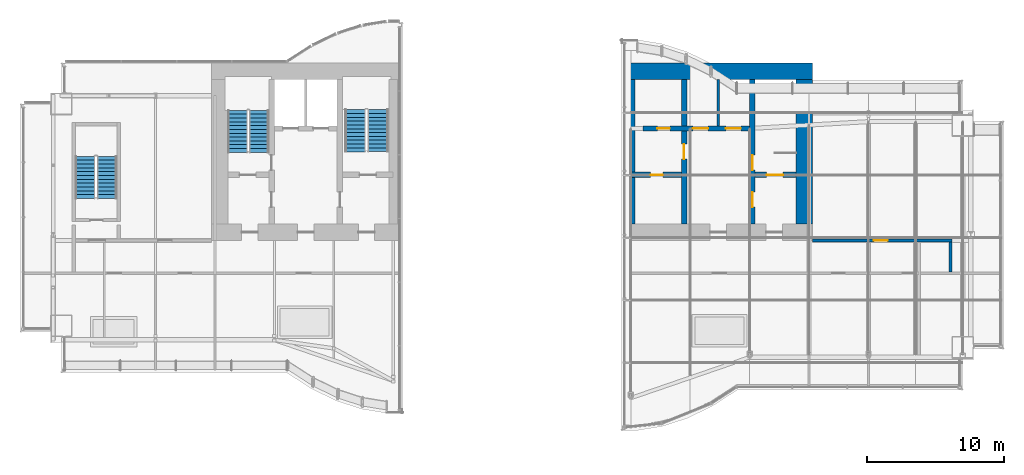
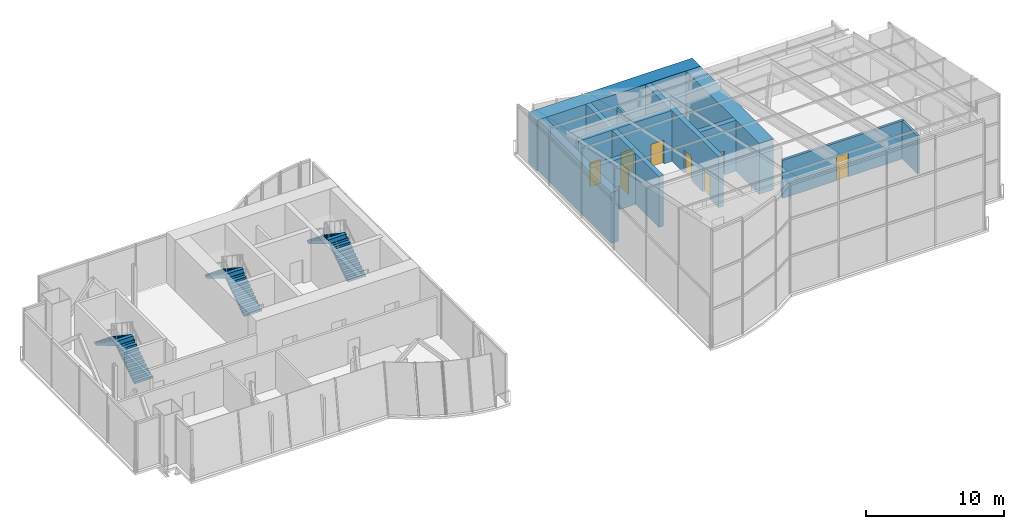
# One storey, part 14 of 17: 11 walls, 9 doors, 6 stair flights, 9 openings, 3 elements without a shape of their own.
"""IFC4 building model written with IfcOpenShell, lengths in metres."""

from ifc_helpers import new_model, si_unit, direction, frame, frame_2d, origin, place, context, subcontext, project, spatial, polyline, rectangle, outline, extrude, material, layer, layer_set, type_object, element, fill, aggregate, save


model = new_model("IFC4")

# Units and contexts
model_context = context("Model", 3, precision=1e-05, world=origin(), true_north=direction((0.0, 1.0)))
body_context = subcontext(model_context, "Body", "Model", "MODEL_VIEW")
ifc_project = project(units=[si_unit("LENGTHUNIT", "METRE"), si_unit("AREAUNIT", "SQUARE_METRE"), si_unit("VOLUMEUNIT", "CUBIC_METRE"), si_unit("PLANEANGLEUNIT", "RADIAN"), si_unit("MASSUNIT", "GRAM", prefix="KILO")], contexts=[model_context])

# Site, building, storey
site_placement = place(None, origin())
site = spatial("IfcSite", under=ifc_project, at=site_placement, CompositionType="ELEMENT")
building_placement = place(site_placement, origin())
building = spatial("IfcBuilding", under=site, at=building_placement, Name="Bicima Exchange Tower", CompositionType="ELEMENT")
storey_placement = place(building_placement, frame((0.0, 0.0, 356.89990234375)))
storey = spatial("IfcBuildingStorey", under=building, at=storey_placement, Name="L80", CompositionType="ELEMENT", Elevation=356.89990234375)

# Wall
ifc_material_1 = material(Name="Gypsum board partition")
ifc_layer_1 = layer(ifc_material_1, 0.199951171875)
ifc_layer_set_1 = layer_set([ifc_layer_1], Name="Gypsum board partition")
wall_type_1 = type_object("IfcWallType", Name="Fire-rated gypsum partition 200 EI120", PredefinedType="PARTITIONING", material=ifc_layer_set_1)
wall_1_placement = place(storey_placement, frame((15.10009765625, -4.60009765625, 0.0), z_axis=(0.0, 0.0, 1.0), x_axis=(0.0, 1.0, 0.0)))
element("IfcWall", 1, at=wall_1_placement, inside=storey, type_object=wall_type_1, Name="partition wall 11", PredefinedType="PARTITIONING", context=body_context, shape_type="SweptSolid", body=[
    extrude(rectangle(XDim=3.400146484375, YDim=0.199951171875, at=frame_2d((1.7001953125, 0.0))), origin(), (0.0, 0.0, 1.0), 3.368408203125),
])

# Wall, opening, door
ifc_layer_2 = layer(ifc_material_1, 0.199951171875)
ifc_layer_set_2 = layer_set([ifc_layer_2], Name="Gypsum board partition")
wall_type_2 = type_object("IfcWallType", Name="Fire-rated gypsum partition 200 EI60", PredefinedType="PARTITIONING", material=ifc_layer_set_2)
wall_2_placement = place(storey_placement, frame((22.0, -13.0, 0.0), z_axis=(0.0, 0.0, 1.0), x_axis=(1.0, 0.0, 0.0)))
wall_2 = element("IfcWall", 2, at=wall_2_placement, inside=storey, type_object=wall_type_2, Name="partition wall 4", PredefinedType="PARTITIONING", context=body_context, shape_type="SweptSolid", body=[
    extrude(rectangle(XDim=10.199951171875, YDim=0.199951171875, at=frame_2d((5.10009765625, 0.0))), origin(), (0.0, 0.0, 1.0), 3.368408203125),
])
opening_1_placement = place(wall_2_placement, frame((4.5, 0.0, 0.0)))
opening_1 = element("IfcOpeningElement", 3, at=opening_1_placement, cuts=wall_2, Name="Opening L80-007", PredefinedType="OPENING", context=body_context, shape_type="SweptSolid", body=[
    extrude(rectangle(XDim=1.0, YDim=2.10009765625, at=frame_2d((0.5, 1.050048828125))), frame((0.0, 0.11181640625, 0.0), z_axis=(0.0, -1.0, 0.0), x_axis=(1.0, 0.0, 0.0)), (0.0, 0.0, 1.0), 0.223876953125),
])
ifc_material_2 = material(Name="Steel fire door leaf", Category="steel")
door_type_1 = type_object("IfcDoorType", Name="Door 1000 swing FD30S", OperationType="SINGLE_SWING_LEFT", PredefinedType="DOOR", material=ifc_material_2)
door_1_placement = place(opening_1_placement, origin())
door_1 = element("IfcDoor", 4, at=door_1_placement, inside=storey, type_object=door_type_1, Name="Door", OperationType="SINGLE_SWING_LEFT", OverallHeight=2.10009765625, OverallWidth=1.0, PredefinedType="DOOR", context=body_context, shape_type="SweptSolid", body=[
    extrude(rectangle(XDim=1.0, YDim=2.10009765625, at=frame_2d((0.5, 1.050048828125))), frame((0.0, 0.02490234375, 0.0), z_axis=(0.0, -1.0, 0.0), x_axis=(1.0, 0.0, 0.0)), (0.0, 0.0, 1.0), 0.050048828125),
])
fill(opening_1, door_1)

# Walls
wall_3_placement = place(storey_placement, frame((32.10009765625, -15.300048828125, 0.0), z_axis=(0.0, 0.0, 1.0), x_axis=(0.0, 1.0, 0.0)))
element("IfcWall", 5, at=wall_3_placement, inside=storey, type_object=wall_type_2, Name="partition wall 13", PredefinedType="PARTITIONING", context=body_context, shape_type="SweptSolid", body=[
    extrude(rectangle(XDim=2.199951171875, YDim=0.199951171875, at=frame_2d((1.10009765625, 0.0))), origin(), (0.0, 0.0, 1.0), 3.368408203125),
])
ifc_material_3 = material(Name="Concrete C40/50", Category="concrete")
ifc_layer_3 = layer(ifc_material_3, 1.199951171875)
ifc_layer_set_3 = layer_set([ifc_layer_3], Name="Concrete C40/50")
wall_type_3 = type_object("IfcWallType", Name="RC core wall 1200 C40/50", PredefinedType="SHEAR", material=ifc_layer_set_3)
wall_4_placement = place(storey_placement, frame((8.300048828125, -0.60009765625, 0.0), z_axis=(0.0, 0.0, 1.0), x_axis=(1.0, 0.0, 0.0)))
element("IfcWall", 6, at=wall_4_placement, inside=storey, type_object=wall_type_3, Name="Core wall north-E", PredefinedType="SHEAR", context=body_context, shape_type="SweptSolid", body=[
    extrude(rectangle(XDim=13.699951171875, YDim=1.199951171875, at=frame_2d((6.85009765625, 0.0))), origin(), (0.0, 0.0, 1.0), 4.5),
])
wall_5_placement = place(storey_placement, frame((21.39990234375, -11.800048828125, 0.0), z_axis=(0.0, 0.0, 1.0), x_axis=(0.0, 1.0, 0.0)))
element("IfcWall", 7, at=wall_5_placement, inside=storey, type_object=wall_type_3, Name="Core wall outer-E", PredefinedType="SHEAR", context=body_context, shape_type="SweptSolid", body=[
    extrude(rectangle(XDim=10.60009765625, YDim=1.199951171875, at=frame_2d((5.300048828125, 0.0))), origin(), (0.0, 0.0, 1.0), 4.5),
])

# Wall, opening, door
ifc_layer_4 = layer(ifc_material_3, 0.39990234375)
ifc_layer_set_4 = layer_set([ifc_layer_4], Name="Concrete C40/50")
wall_type_4 = type_object("IfcWallType", Name="RC core wall 400 C40/50", PredefinedType="SHEAR", material=ifc_layer_set_4)
wall_6_placement = place(storey_placement, frame((8.699951171875, -8.199951171875, 0.0), z_axis=(0.0, 0.0, 1.0), x_axis=(1.0, 0.0, 0.0)))
wall_6 = element("IfcWall", 8, at=wall_6_placement, inside=storey, type_object=wall_type_4, Name="shear wall 3", PredefinedType="SHEAR", context=body_context, shape_type="SweptSolid", body=[
    extrude(rectangle(XDim=3.699951171875, YDim=0.39990234375, at=frame_2d((1.85009765625, 0.0))), origin(), (0.0, 0.0, 1.0), 4.5),
])
opening_2_placement = place(wall_6_placement, frame((1.449951171875, 0.0, 0.0)))
opening_2 = element("IfcOpeningElement", 9, at=opening_2_placement, cuts=wall_6, Name="Opening L80-C11", PredefinedType="OPENING", context=body_context, shape_type="SweptSolid", body=[
    extrude(rectangle(XDim=0.89990234375, YDim=2.10009765625, at=frame_2d((0.449951171875, 1.050048828125))), frame((0.0, 0.2119140625, 0.0), z_axis=(0.0, -1.0, 0.0), x_axis=(1.0, 0.0, 0.0)), (0.0, 0.0, 1.0), 0.423828125),
])
door_type_2 = type_object("IfcDoorType", Name="Door 900 swing FD30S", OperationType="SINGLE_SWING_LEFT", PredefinedType="DOOR", material=ifc_material_2)
door_2_placement = place(opening_2_placement, frame((0.89990234375, 0.0, 0.0), z_axis=(0.0, 0.0, 1.0), x_axis=(-1.0, 0.0, 0.0)))
door_2 = element("IfcDoor", 10, at=door_2_placement, inside=storey, type_object=door_type_2, Name="Core door", OperationType="SINGLE_SWING_RIGHT", OverallHeight=2.10009765625, OverallWidth=0.89990234375, PredefinedType="DOOR", context=body_context, shape_type="SweptSolid", body=[
    extrude(rectangle(XDim=0.89990234375, YDim=2.10009765625, at=frame_2d((0.449951171875, 1.050048828125))), frame((0.0, 0.02490234375, 0.0), z_axis=(0.0, -1.0, 0.0), x_axis=(1.0, 0.0, 0.0)), (0.0, 0.0, 1.0), 0.050048828125),
])
fill(opening_2, door_2)

# Wall, openings, doors
wall_7_placement = place(storey_placement, frame((9.60009765625, -4.800048828125, 0.0), z_axis=(0.0, 0.0, 1.0), x_axis=(1.0, 0.0, 0.0)))
wall_7 = element("IfcWall", 11, at=wall_7_placement, inside=storey, type_object=wall_type_4, Name="shear wall 6", PredefinedType="SHEAR", context=body_context, shape_type="SweptSolid", body=[
    extrude(rectangle(XDim=7.7998046875, YDim=0.39990234375, at=frame_2d((3.89990234375, 0.0))), origin(), (0.0, 0.0, 1.0), 4.5),
])
opening_3_placement = place(wall_7_placement, frame((3.64990234375, 0.0, 0.0)))
opening_3 = element("IfcOpeningElement", 12, at=opening_3_placement, cuts=wall_7, Name="Opening LD-FF2-L80", PredefinedType="OPENING", context=body_context, shape_type="SweptSolid", body=[
    extrude(rectangle(XDim=1.10009765625, YDim=2.10009765625, at=frame_2d((0.550048828125, 1.050048828125))), frame((0.0, 0.2119140625, 0.0), z_axis=(0.0, -1.0, 0.0), x_axis=(1.0, 0.0, 0.0)), (0.0, 0.0, 1.0), 0.423828125),
])
opening_4_placement = place(wall_7_placement, frame((6.050048828125, 0.0, 0.0)))
opening_4 = element("IfcOpeningElement", 13, at=opening_4_placement, cuts=wall_7, Name="Opening LD-SV1-L80", PredefinedType="OPENING", context=body_context, shape_type="SweptSolid", body=[
    extrude(rectangle(XDim=1.10009765625, YDim=2.10009765625, at=frame_2d((0.550048828125, 1.050048828125))), frame((0.0, 0.2119140625, 0.0), z_axis=(0.0, -1.0, 0.0), x_axis=(1.0, 0.0, 0.0)), (0.0, 0.0, 1.0), 0.423828125),
])
opening_5_placement = place(wall_7_placement, frame((1.050048828125, 0.0, 0.0)))
opening_5 = element("IfcOpeningElement", 14, at=opening_5_placement, cuts=wall_7, Name="Opening L80-C10", PredefinedType="OPENING", context=body_context, shape_type="SweptSolid", body=[
    extrude(rectangle(XDim=0.89990234375, YDim=2.10009765625, at=frame_2d((0.449951171875, 1.050048828125))), frame((0.0, 0.2119140625, 0.0), z_axis=(0.0, -1.0, 0.0), x_axis=(1.0, 0.0, 0.0)), (0.0, 0.0, 1.0), 0.423828125),
])
door_3_placement = place(opening_5_placement, origin())
door_3 = element("IfcDoor", 15, at=door_3_placement, inside=storey, type_object=door_type_2, Name="Core door", OperationType="SINGLE_SWING_RIGHT", OverallHeight=2.10009765625, OverallWidth=0.89990234375, PredefinedType="DOOR", context=body_context, shape_type="SweptSolid", body=[
    extrude(rectangle(XDim=0.89990234375, YDim=2.10009765625, at=frame_2d((0.449951171875, 1.050048828125))), frame((0.0, 0.02490234375, 0.0), z_axis=(0.0, -1.0, 0.0), x_axis=(1.0, 0.0, 0.0)), (0.0, 0.0, 1.0), 0.050048828125),
])
fill(opening_5, door_3)
ifc_material_4 = material(Name="Stainless steel", Category="steel")
door_type_3 = type_object("IfcDoorType", Name="Lift landing door 1100 sliding", OperationType="DOUBLE_DOOR_SLIDING", PredefinedType="DOOR", material=ifc_material_4)
door_4_placement = place(opening_3_placement, origin())
door_4 = element("IfcDoor", 16, at=door_4_placement, inside=storey, type_object=door_type_3, Name="Lift landing door FF2", OperationType="DOUBLE_DOOR_SLIDING", OverallHeight=2.10009765625, OverallWidth=1.10009765625, PredefinedType="DOOR", context=body_context, shape_type="SweptSolid", body=[
    extrude(rectangle(XDim=1.10009765625, YDim=2.10009765625, at=frame_2d((0.550048828125, 1.050048828125))), frame((0.0, 0.02490234375, 0.0), z_axis=(0.0, -1.0, 0.0), x_axis=(1.0, 0.0, 0.0)), (0.0, 0.0, 1.0), 0.050048828125),
])
fill(opening_3, door_4)
door_5_placement = place(opening_4_placement, origin())
door_5 = element("IfcDoor", 17, at=door_5_placement, inside=storey, type_object=door_type_3, Name="Lift landing door SV1", OperationType="DOUBLE_DOOR_SLIDING", OverallHeight=2.10009765625, OverallWidth=1.10009765625, PredefinedType="DOOR", context=body_context, shape_type="SweptSolid", body=[
    extrude(rectangle(XDim=1.10009765625, YDim=2.10009765625, at=frame_2d((0.550048828125, 1.050048828125))), frame((0.0, 0.02490234375, 0.0), z_axis=(0.0, -1.0, 0.0), x_axis=(1.0, 0.0, 0.0)), (0.0, 0.0, 1.0), 0.050048828125),
])
fill(opening_4, door_5)

# Wall, opening, door
wall_8_placement = place(storey_placement, frame((12.60009765625, -11.800048828125, 0.0), z_axis=(0.0, 0.0, 1.0), x_axis=(0.0, 1.0, 0.0)))
wall_8 = element("IfcWall", 18, at=wall_8_placement, inside=storey, type_object=wall_type_4, Name="shear wall 10", PredefinedType="SHEAR", context=body_context, shape_type="SweptSolid", body=[
    extrude(rectangle(XDim=10.60009765625, YDim=0.39990234375, at=frame_2d((5.300048828125, 0.0))), origin(), (0.0, 0.0, 1.0), 4.5),
])
opening_6_placement = place(wall_8_placement, frame((4.75, 0.0, 0.0)))
opening_6 = element("IfcOpeningElement", 19, at=opening_6_placement, cuts=wall_8, Name="Opening L80-C09", PredefinedType="OPENING", context=body_context, shape_type="SweptSolid", body=[
    extrude(rectangle(XDim=1.10009765625, YDim=2.10009765625, at=frame_2d((0.550048828125, 1.050048828125))), frame((0.0, 0.2119140625, 0.0), z_axis=(0.0, -1.0, 0.0), x_axis=(1.0, 0.0, 0.0)), (0.0, 0.0, 1.0), 0.423828125),
])
door_type_4 = type_object("IfcDoorType", Name="Door 1100 swing FD60S", OperationType="SINGLE_SWING_LEFT", PredefinedType="DOOR", material=ifc_material_2)
door_6_placement = place(opening_6_placement, frame((1.10009765625, 0.0, 0.0), z_axis=(0.0, 0.0, 1.0), x_axis=(-1.0, 0.0, 0.0)))
door_6 = element("IfcDoor", 20, at=door_6_placement, inside=storey, type_object=door_type_4, Name="Core door", OperationType="SINGLE_SWING_RIGHT", OverallHeight=2.10009765625, OverallWidth=1.10009765625, PredefinedType="DOOR", context=body_context, shape_type="SweptSolid", body=[
    extrude(rectangle(XDim=1.10009765625, YDim=2.10009765625, at=frame_2d((0.550048828125, 1.050048828125))), frame((0.0, 0.02490234375, 0.0), z_axis=(0.0, -1.0, 0.0), x_axis=(1.0, 0.0, 0.0)), (0.0, 0.0, 1.0), 0.050048828125),
])
fill(opening_6, door_6)

ifc_material_5 = material(Name="Concrete C50/60", Category="concrete")
ifc_layer_5 = layer(ifc_material_5, 0.39990234375)
ifc_layer_set_5 = layer_set([ifc_layer_5], Name="Concrete C50/60")
wall_type_5 = type_object("IfcWallType", Name="RC core wall 400 C50/60", PredefinedType="SHEAR", material=ifc_layer_set_5)
wall_9_placement = place(storey_placement, frame((17.800048828125, -8.199951171875, 0.0), z_axis=(0.0, 0.0, 1.0), x_axis=(1.0, 0.0, 0.0)))
wall_9 = element("IfcWall", 21, at=wall_9_placement, inside=storey, type_object=wall_type_5, Name="stair wall 4", PredefinedType="SHEAR", context=body_context, shape_type="SweptSolid", body=[
    extrude(rectangle(XDim=3.0, YDim=0.39990234375, at=frame_2d((1.5, 0.0))), origin(), (0.0, 0.0, 1.0), 4.5),
])
opening_7_placement = place(wall_9_placement, frame((0.85009765625, 0.0, 0.0)))
opening_7 = element("IfcOpeningElement", 22, at=opening_7_placement, cuts=wall_9, Name="Opening L80-C03", PredefinedType="OPENING", context=body_context, shape_type="SweptSolid", body=[
    extrude(rectangle(XDim=1.199951171875, YDim=2.10009765625, at=frame_2d((0.60009765625, 1.050048828125))), frame((0.0, 0.2119140625, 0.0), z_axis=(0.0, -1.0, 0.0), x_axis=(1.0, 0.0, 0.0)), (0.0, 0.0, 1.0), 0.423828125),
])
door_type_5 = type_object("IfcDoorType", Name="Door 1200 swing FD60S", OperationType="SINGLE_SWING_LEFT", PredefinedType="DOOR", material=ifc_material_2)
door_7_placement = place(opening_7_placement, origin())
door_7 = element("IfcDoor", 23, at=door_7_placement, inside=storey, type_object=door_type_5, Name="Core door", OperationType="SINGLE_SWING_LEFT", OverallHeight=2.10009765625, OverallWidth=1.199951171875, PredefinedType="DOOR", context=body_context, shape_type="SweptSolid", body=[
    extrude(rectangle(XDim=1.199951171875, YDim=2.10009765625, at=frame_2d((0.60009765625, 1.050048828125))), frame((0.0, 0.02490234375, 0.0), z_axis=(0.0, -1.0, 0.0), x_axis=(1.0, 0.0, 0.0)), (0.0, 0.0, 1.0), 0.050048828125),
])
fill(opening_7, door_7)

# Wall, openings, doors
wall_10_placement = place(storey_placement, frame((17.60009765625, -11.800048828125, 0.0), z_axis=(0.0, 0.0, 1.0), x_axis=(0.0, 1.0, 0.0)))
wall_10 = element("IfcWall", 24, at=wall_10_placement, inside=storey, type_object=wall_type_5, Name="stair wall 12", PredefinedType="SHEAR", context=body_context, shape_type="SweptSolid", body=[
    extrude(rectangle(XDim=10.60009765625, YDim=0.39990234375, at=frame_2d((5.300048828125, 0.0))), origin(), (0.0, 0.0, 1.0), 4.5),
])
opening_8_placement = place(wall_10_placement, frame((1.25, 0.0, 0.0)))
opening_8 = element("IfcOpeningElement", 25, at=opening_8_placement, cuts=wall_10, Name="Opening L80-C04", PredefinedType="OPENING", context=body_context, shape_type="SweptSolid", body=[
    extrude(rectangle(XDim=1.10009765625, YDim=2.10009765625, at=frame_2d((0.550048828125, 1.050048828125))), frame((0.0, 0.2119140625, 0.0), z_axis=(0.0, -1.0, 0.0), x_axis=(1.0, 0.0, 0.0)), (0.0, 0.0, 1.0), 0.423828125),
])
opening_9_placement = place(wall_10_placement, frame((3.949951171875, 0.0, 0.0)))
opening_9 = element("IfcOpeningElement", 26, at=opening_9_placement, cuts=wall_10, Name="Opening L80-C08", PredefinedType="OPENING", context=body_context, shape_type="SweptSolid", body=[
    extrude(rectangle(XDim=1.10009765625, YDim=2.10009765625, at=frame_2d((0.550048828125, 1.050048828125))), frame((0.0, 0.2119140625, 0.0), z_axis=(0.0, -1.0, 0.0), x_axis=(1.0, 0.0, 0.0)), (0.0, 0.0, 1.0), 0.423828125),
])
door_8_placement = place(opening_8_placement, origin())
door_8 = element("IfcDoor", 27, at=door_8_placement, inside=storey, type_object=door_type_4, Name="Core door", OperationType="SINGLE_SWING_RIGHT", OverallHeight=2.10009765625, OverallWidth=1.10009765625, PredefinedType="DOOR", context=body_context, shape_type="SweptSolid", body=[
    extrude(rectangle(XDim=1.10009765625, YDim=2.10009765625, at=frame_2d((0.550048828125, 1.050048828125))), frame((0.0, 0.02490234375, 0.0), z_axis=(0.0, -1.0, 0.0), x_axis=(1.0, 0.0, 0.0)), (0.0, 0.0, 1.0), 0.050048828125),
])
fill(opening_8, door_8)
door_9_placement = place(opening_9_placement, origin())
door_9 = element("IfcDoor", 28, at=door_9_placement, inside=storey, type_object=door_type_4, Name="Core door", OperationType="SINGLE_SWING_RIGHT", OverallHeight=2.10009765625, OverallWidth=1.10009765625, PredefinedType="DOOR", context=body_context, shape_type="SweptSolid", body=[
    extrude(rectangle(XDim=1.10009765625, YDim=2.10009765625, at=frame_2d((0.550048828125, 1.050048828125))), frame((0.0, 0.02490234375, 0.0), z_axis=(0.0, -1.0, 0.0), x_axis=(1.0, 0.0, 0.0)), (0.0, 0.0, 1.0), 0.050048828125),
])
fill(opening_9, door_9)

# Wall
ifc_layer_6 = layer(ifc_material_3, 0.60009765625)
ifc_layer_set_6 = layer_set([ifc_layer_6], Name="Concrete C40/50")
wall_type_6 = type_object("IfcWallType", Name="RC core wall 600 C40/50", PredefinedType="SHEAR", material=ifc_layer_set_6)
wall_11_placement = place(storey_placement, frame((8.699951171875, -11.800048828125, 0.0), z_axis=(0.0, 0.0, 1.0), x_axis=(0.0, 1.0, 0.0)))
element("IfcWall", 29, at=wall_11_placement, inside=storey, type_object=wall_type_6, Name="Core wall close-E", PredefinedType="SHEAR", context=body_context, shape_type="SweptSolid", body=[
    extrude(rectangle(XDim=10.60009765625, YDim=0.60009765625, at=frame_2d((5.300048828125, 0.0))), origin(), (0.0, 0.0, 1.0), 4.5),
])

# Stair, stair flights
stair_type_1 = type_object("IfcStairType", Name="Exit stair", PredefinedType="HALF_TURN_STAIR", material=ifc_material_5)
stair_1_placement = place(storey_placement, origin())
stair_1 = element("IfcStair", 30, at=stair_1_placement, inside=storey, type_object=stair_type_1, Name="L80 West exit stair", PredefinedType="HALF_TURN_STAIR")
stair_flight_type_1 = type_object("IfcStairFlightType", Name="Stair flight RC", PredefinedType="STRAIGHT", material=ifc_material_5)
stair_flight_1_placement = place(storey_placement, frame((-18.52490234375, -6.550048828125, 0.0), z_axis=(0.0, 0.0, 1.0), x_axis=(0.0, 1.0, 0.0)))
stair_flight_1 = element("IfcStairFlight", 31, at=stair_flight_1_placement, type_object=stair_flight_type_1, Name="ST-W flight 1", NumberOfRisers=12, NumberOfTreads=11, PredefinedType="STRAIGHT", RiserHeight=0.1875, TreadLength=0.28, context=body_context, shape_type="SweptSolid", body=[
    extrude(outline(polyline([(0.0, 0.0), (0.0, 0.1875), (0.280029296875, 0.1875), (0.280029296875, 0.375), (0.56005859375, 0.375), (0.56005859375, 0.5625), (0.840087890625, 0.5625), (0.840087890625, 0.75), (1.1201171875, 0.75), (1.1201171875, 0.9375), (1.39990234375, 0.9375), (1.39990234375, 1.125), (1.679931640625, 1.125), (1.679931640625, 1.3125), (1.9599609375, 1.3125), (1.9599609375, 1.5), (2.239990234375, 1.5), (2.239990234375, 1.6875), (2.52001953125, 1.6875), (2.52001953125, 1.875), (2.800048828125, 1.875), (2.800048828125, 2.0625), (3.080078125, 2.0625), (3.080078125, 2.25), (3.080078125, 1.882080078125), (0.26953125, 0.0), (0.0, 0.0)])), frame((0.0, 0.72509765625, 0.0), z_axis=(0.0, -1.0, 0.0), x_axis=(1.0, 0.0, 0.0)), (0.0, 0.0, 1.0), 1.449951171875),
])
stair_flight_2_placement = place(storey_placement, frame((-20.074951171875, -3.469970703125, 2.25), z_axis=(0.0, 0.0, 1.0), x_axis=(0.0, -1.0, 0.0)))
stair_flight_2 = element("IfcStairFlight", 32, at=stair_flight_2_placement, type_object=stair_flight_type_1, Name="ST-W flight 2", NumberOfRisers=12, NumberOfTreads=11, PredefinedType="STRAIGHT", RiserHeight=0.1875, TreadLength=0.28, context=body_context, shape_type="SweptSolid", body=[
    extrude(outline(polyline([(0.0, 0.0), (0.0, 0.1875), (0.280029296875, 0.1875), (0.280029296875, 0.375), (0.56005859375, 0.375), (0.56005859375, 0.5625), (0.840087890625, 0.5625), (0.840087890625, 0.75), (1.1201171875, 0.75), (1.1201171875, 0.9375), (1.39990234375, 0.9375), (1.39990234375, 1.125), (1.679931640625, 1.125), (1.679931640625, 1.3125), (1.9599609375, 1.3125), (1.9599609375, 1.5), (2.239990234375, 1.5), (2.239990234375, 1.6875), (2.52001953125, 1.6875), (2.52001953125, 1.875), (2.800048828125, 1.875), (2.800048828125, 2.0625), (3.080078125, 2.0625), (3.094970703125, 2.0625), (3.094970703125, 1.70458984375), (0.26953125, 0.0), (0.0, 0.0)])), frame((0.0, 0.72509765625, 0.0), z_axis=(0.0, -1.0, 0.0), x_axis=(1.0, 0.0, 0.0)), (0.0, 0.0, 1.0), 1.449951171875),
])
aggregate(stair_1, [stair_flight_1, stair_flight_2])

stair_2_placement = place(storey_placement, origin())
stair_2 = element("IfcStair", 33, at=stair_2_placement, inside=storey, type_object=stair_type_1, Name="L80 West end exit stair", PredefinedType="HALF_TURN_STAIR")
stair_flight_3_placement = place(storey_placement, frame((-29.64990234375, -9.925048828125, 0.0), z_axis=(0.0, 0.0, 1.0), x_axis=(0.0, 1.0, 0.0)))
stair_flight_3 = element("IfcStairFlight", 34, at=stair_flight_3_placement, type_object=stair_flight_type_1, Name="ST-WW flight 1", NumberOfRisers=12, NumberOfTreads=11, PredefinedType="STRAIGHT", RiserHeight=0.1875, TreadLength=0.28, context=body_context, shape_type="SweptSolid", body=[
    extrude(outline(polyline([(0.0, 0.0), (0.0, 0.1875), (0.280029296875, 0.1875), (0.280029296875, 0.375), (0.56005859375, 0.375), (0.56005859375, 0.5625), (0.840087890625, 0.5625), (0.840087890625, 0.75), (1.1201171875, 0.75), (1.1201171875, 0.9375), (1.39990234375, 0.9375), (1.39990234375, 1.125), (1.679931640625, 1.125), (1.679931640625, 1.3125), (1.9599609375, 1.3125), (1.9599609375, 1.5), (2.239990234375, 1.5), (2.239990234375, 1.6875), (2.52001953125, 1.6875), (2.52001953125, 1.875), (2.800048828125, 1.875), (2.800048828125, 2.0625), (3.080078125, 2.0625), (3.080078125, 2.25), (3.080078125, 1.882080078125), (0.26953125, 0.0), (0.0, 0.0)])), frame((0.0, 0.72509765625, 0.0), z_axis=(0.0, -1.0, 0.0), x_axis=(1.0, 0.0, 0.0)), (0.0, 0.0, 1.0), 1.449951171875),
])
stair_flight_4_placement = place(storey_placement, frame((-31.25, -6.844970703125, 2.25), z_axis=(0.0, 0.0, 1.0), x_axis=(0.0, -1.0, 0.0)))
stair_flight_4 = element("IfcStairFlight", 35, at=stair_flight_4_placement, type_object=stair_flight_type_1, Name="ST-WW flight 2", NumberOfRisers=12, NumberOfTreads=11, PredefinedType="STRAIGHT", RiserHeight=0.1875, TreadLength=0.28, context=body_context, shape_type="SweptSolid", body=[
    extrude(outline(polyline([(0.0, 0.0), (0.0, 0.1875), (0.280029296875, 0.1875), (0.280029296875, 0.375), (0.56005859375, 0.375), (0.56005859375, 0.5625), (0.840087890625, 0.5625), (0.840087890625, 0.75), (1.1201171875, 0.75), (1.1201171875, 0.9375), (1.39990234375, 0.9375), (1.39990234375, 1.125), (1.679931640625, 1.125), (1.679931640625, 1.3125), (1.9599609375, 1.3125), (1.9599609375, 1.5), (2.239990234375, 1.5), (2.239990234375, 1.6875), (2.52001953125, 1.6875), (2.52001953125, 1.875), (2.800048828125, 1.875), (2.800048828125, 2.0625), (3.080078125, 2.0625), (3.094970703125, 2.0625), (3.094970703125, 1.70458984375), (0.26953125, 0.0), (0.0, 0.0)])), frame((0.0, 0.72509765625, 0.0), z_axis=(0.0, -1.0, 0.0), x_axis=(1.0, 0.0, 0.0)), (0.0, 0.0, 1.0), 1.449951171875),
])
aggregate(stair_2, [stair_flight_3, stair_flight_4])

stair_type_2 = type_object("IfcStairType", Name="Exit stair 1500", PredefinedType="HALF_TURN_STAIR", material=ifc_material_5)
stair_3_placement = place(storey_placement, origin())
stair_3 = element("IfcStair", 36, at=stair_3_placement, inside=storey, type_object=stair_type_2, Name="L80 Crown exit stair", PredefinedType="HALF_TURN_STAIR")
stair_flight_type_2 = type_object("IfcStairFlightType", Name="Stair flight RC 1500", PredefinedType="STRAIGHT", material=ifc_material_5)
stair_flight_5_placement = place(storey_placement, frame((-9.824951171875, -6.5, 0.0), z_axis=(0.0, 0.0, 1.0), x_axis=(0.0, 1.0, 0.0)))
stair_flight_5 = element("IfcStairFlight", 37, at=stair_flight_5_placement, type_object=stair_flight_type_2, Name="ST-CR flight 1", NumberOfRisers=12, NumberOfTreads=11, PredefinedType="STRAIGHT", RiserHeight=0.1875, TreadLength=0.28, context=body_context, shape_type="SweptSolid", body=[
    extrude(outline(polyline([(0.0, 0.0), (0.0, 0.1875), (0.280029296875, 0.1875), (0.280029296875, 0.375), (0.56005859375, 0.375), (0.56005859375, 0.5625), (0.840087890625, 0.5625), (0.840087890625, 0.75), (1.1201171875, 0.75), (1.1201171875, 0.9375), (1.39990234375, 0.9375), (1.39990234375, 1.125), (1.679931640625, 1.125), (1.679931640625, 1.3125), (1.9599609375, 1.3125), (1.9599609375, 1.5), (2.239990234375, 1.5), (2.239990234375, 1.6875), (2.52001953125, 1.6875), (2.52001953125, 1.875), (2.800048828125, 1.875), (2.800048828125, 2.0625), (3.080078125, 2.0625), (3.080078125, 2.25), (3.080078125, 1.882080078125), (0.26953125, 0.0), (0.0, 0.0)])), frame((0.0, 0.75, 0.0), z_axis=(0.0, -1.0, 0.0), x_axis=(1.0, 0.0, 0.0)), (0.0, 0.0, 1.0), 1.5),
])
stair_flight_6_placement = place(storey_placement, frame((-11.47509765625, -3.419921875, 2.25), z_axis=(0.0, 0.0, 1.0), x_axis=(0.0, -1.0, 0.0)))
stair_flight_6 = element("IfcStairFlight", 38, at=stair_flight_6_placement, type_object=stair_flight_type_2, Name="ST-CR flight 2", NumberOfRisers=12, NumberOfTreads=11, PredefinedType="STRAIGHT", RiserHeight=0.1875, TreadLength=0.28, context=body_context, shape_type="SweptSolid", body=[
    extrude(outline(polyline([(0.0, 0.0), (0.0, 0.1875), (0.280029296875, 0.1875), (0.280029296875, 0.375), (0.56005859375, 0.375), (0.56005859375, 0.5625), (0.840087890625, 0.5625), (0.840087890625, 0.75), (1.1201171875, 0.75), (1.1201171875, 0.9375), (1.39990234375, 0.9375), (1.39990234375, 1.125), (1.679931640625, 1.125), (1.679931640625, 1.3125), (1.9599609375, 1.3125), (1.9599609375, 1.5), (2.239990234375, 1.5), (2.239990234375, 1.6875), (2.52001953125, 1.6875), (2.52001953125, 1.875), (2.800048828125, 1.875), (2.800048828125, 2.0625), (3.080078125, 2.0625), (3.094970703125, 2.0625), (3.094970703125, 1.70458984375), (0.26953125, 0.0), (0.0, 0.0)])), frame((0.0, 0.75, 0.0), z_axis=(0.0, -1.0, 0.0), x_axis=(1.0, 0.0, 0.0)), (0.0, 0.0, 1.0), 1.5),
])
aggregate(stair_3, [stair_flight_5, stair_flight_6])

save(model, "model.ifc")
